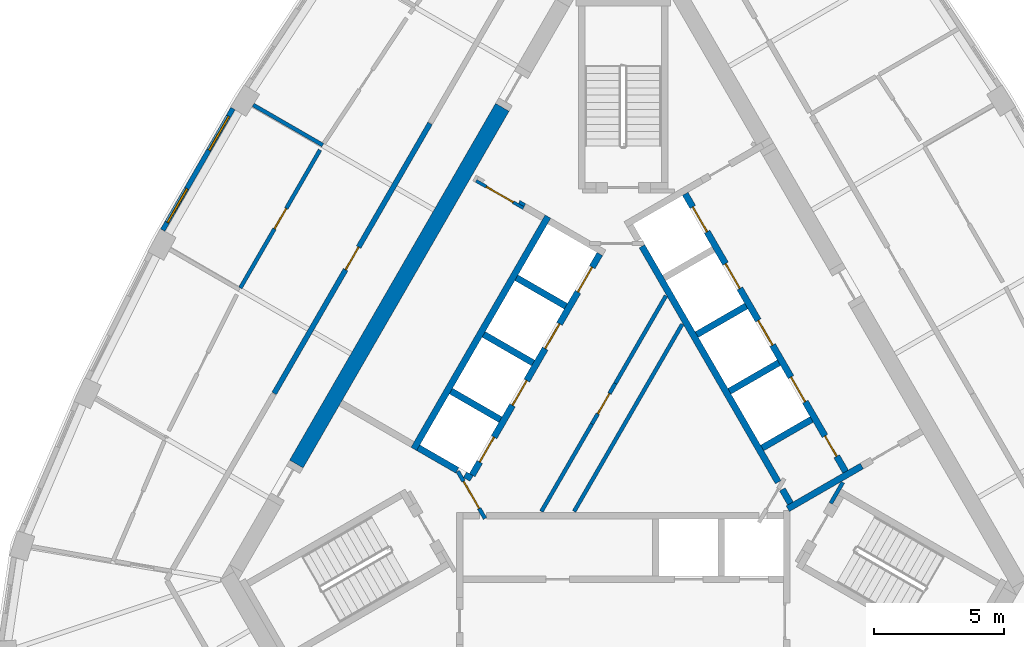
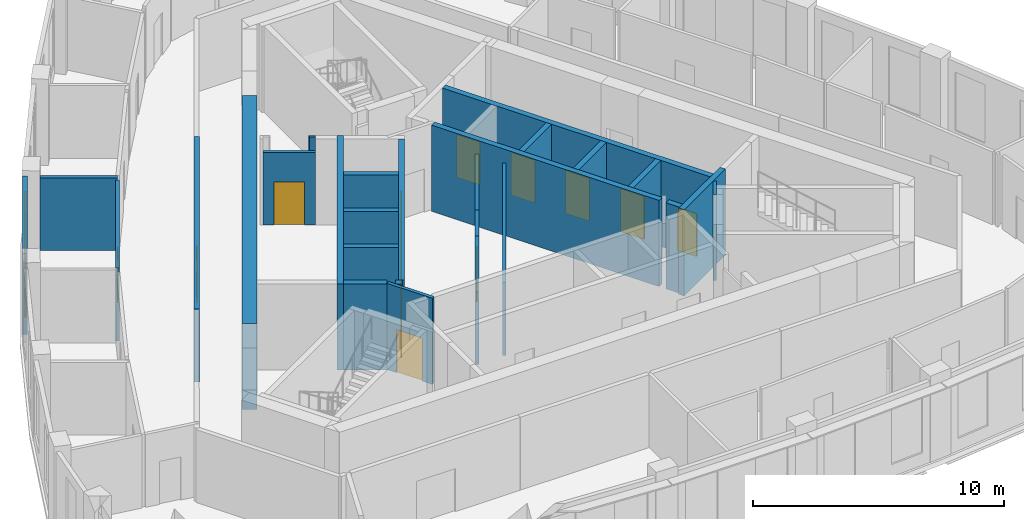
# One storey, part 5 of 10: 27 walls, 14 doors, 2 windows, 16 openings.
"""IFC4 building model written with IfcOpenShell, lengths in metres."""

from ifc_helpers import new_model, si_unit, direction, frame, frame_2d, origin, place, context, subcontext, project, spatial, polyline, rectangle, outline, extrude, material, layer, layer_set, type_object, element, fill, save


model = new_model("IFC4")

# Units and contexts
model_context = context("Model", 3, precision=1e-05, world=origin(), true_north=direction((0.0, 1.0)))
body_context = subcontext(model_context, "Body", "Model", "MODEL_VIEW")
ifc_project = project(units=[si_unit("LENGTHUNIT", "METRE"), si_unit("AREAUNIT", "SQUARE_METRE"), si_unit("VOLUMEUNIT", "CUBIC_METRE"), si_unit("PLANEANGLEUNIT", "RADIAN"), si_unit("MASSUNIT", "GRAM", prefix="KILO")], contexts=[model_context])

# Site, building, storey
site_placement = place(None, origin())
site = spatial("IfcSite", under=ifc_project, at=site_placement, CompositionType="ELEMENT")
building_placement = place(site_placement, origin())
building = spatial("IfcBuilding", under=site, at=building_placement, Name="Mestral Congress Tower", CompositionType="ELEMENT")
storey_placement = place(building_placement, frame((0.0, 0.0, 296.39990234375)))
storey = spatial("IfcBuildingStorey", under=building, at=storey_placement, Name="L69", CompositionType="ELEMENT", Elevation=296.39990234375)

# Walls
ifc_material_1 = material(Name="Fire-rated board partition")
ifc_layer_1 = layer(ifc_material_1, 0.14990234375)
ifc_layer_set_1 = layer_set([ifc_layer_1], Name="Fire-rated board partition")
wall_type_1 = type_object("IfcWallType", Name="Core partition 150", PredefinedType="PARTITIONING", material=ifc_layer_set_1)
wall_1_placement = place(storey_placement, frame((-1.886962890625, -3.71826171875, 0.0), z_axis=(0.0, 0.0, 1.0), x_axis=(0.500005008002, 0.866022512394, 0.0)))
element("IfcWall", 1, at=wall_1_placement, inside=storey, type_object=wall_type_1, Name="L69 core wall", PredefinedType="PARTITIONING", context=body_context, shape_type="SweptSolid", body=[
    extrude(rectangle(XDim=8.3271484375, YDim=0.14990234375, at=frame_2d((4.16357421875, 0.0))), origin(), (0.0, 0.0, 1.0), 3.550048828125),
])
wall_2_placement = place(storey_placement, frame((-3.146728515625, -3.71826171875, 0.0), z_axis=(0.0, 0.0, 1.0), x_axis=(0.500010131483, 0.866019554291, 0.0)))
element("IfcWall", 2, at=wall_2_placement, inside=storey, type_object=wall_type_1, Name="L69 core wall", PredefinedType="PARTITIONING", context=body_context, shape_type="SweptSolid", body=[
    extrude(rectangle(XDim=3.8935546875, YDim=0.14990234375, at=frame_2d((1.94677734375, 0.0))), origin(), (0.0, 0.0, 1.0), 3.550048828125),
])
wall_3_placement = place(storey_placement, frame((-0.2998046875, 1.21240234375, 0.0), z_axis=(0.0, 0.0, 1.0), x_axis=(0.499963101113, 0.866046706318, 0.0)))
element("IfcWall", 3, at=wall_3_placement, inside=storey, type_object=wall_type_1, Name="L69 core wall", PredefinedType="PARTITIONING", context=body_context, shape_type="SweptSolid", body=[
    extrude(rectangle(XDim=3.893310546875, YDim=0.14990234375, at=frame_2d((1.94677734375, 0.0))), origin(), (0.0, 0.0, 1.0), 3.550048828125),
])

# Wall, opening, door
wall_4_placement = place(storey_placement, frame((-1.199951171875, -0.346435546875, 0.0), z_axis=(0.0, 0.0, 1.0), x_axis=(0.499961193289, 0.866047807691, 0.0)))
wall_4 = element("IfcWall", 4, at=wall_4_placement, inside=storey, type_object=wall_type_1, Name="L69 door wall", PredefinedType="PARTITIONING", context=body_context, shape_type="SweptSolid", body=[
    extrude(rectangle(XDim=1.800048828125, YDim=0.14990234375, at=frame_2d((0.89990234375, 0.0))), origin(), (0.0, 0.0, 1.0), 3.550048828125),
])
opening_1_placement = place(wall_4_placement, frame((0.449951171875, 0.0, 0.0)))
opening_1 = element("IfcOpeningElement", 5, at=opening_1_placement, cuts=wall_4, Name="Opening SD-HUB1", PredefinedType="OPENING", context=body_context, shape_type="SweptSolid", body=[
    extrude(rectangle(XDim=0.89990234375, YDim=2.10009765625, at=frame_2d((0.449951171875, 1.050048828125))), frame((0.0, 0.0849609375, 0.0), z_axis=(0.0, -1.0, 0.0), x_axis=(1.0, 0.0, 0.0)), (0.0, 0.0, 1.0), 0.169921875),
])
ifc_material_2 = material(Name="Fire-rated steel door set", Category="steel")
door_type_1 = type_object("IfcDoorType", Name="Core door SR 900x2100", OperationType="SINGLE_SWING_LEFT", PredefinedType="DOOR", material=ifc_material_2)
door_1_placement = place(opening_1_placement, origin())
door_1 = element("IfcDoor", 6, at=door_1_placement, inside=storey, type_object=door_type_1, Name="Door SD-HUB1", OperationType="SINGLE_SWING_LEFT", OverallHeight=2.10009765625, OverallWidth=0.89990234375, PredefinedType="DOOR", context=body_context, shape_type="SweptSolid", body=[
    extrude(rectangle(XDim=0.89990234375, YDim=2.10009765625, at=frame_2d((0.449951171875, 1.050048828125))), frame((0.0, 0.02490234375, 0.0), z_axis=(0.0, -1.0, 0.0), x_axis=(1.0, 0.0, 0.0)), (0.0, 0.0, 1.0), 0.050048828125),
])
fill(opening_1, door_1)

ifc_layer_2 = layer(ifc_material_1, 0.1201171875)
ifc_layer_set_2 = layer_set([ifc_layer_2], Name="Fire-rated board partition")
wall_type_2 = type_object("IfcWallType", Name="Core partition 150 door-wall 120", PredefinedType="PARTITIONING", material=ifc_layer_set_2)
wall_5_placement = place(storey_placement, frame((-5.65869140625, 9.01171875, 0.0), z_axis=(0.0, 0.0, 1.0), x_axis=(0.866009402589, -0.500027713859, 0.0)))
wall_5 = element("IfcWall", 7, at=wall_5_placement, inside=storey, type_object=wall_type_2, Name="L69 door wall", PredefinedType="PARTITIONING", context=body_context, shape_type="SweptSolid", body=[
    extrude(rectangle(XDim=2.10009765625, YDim=0.1201171875, at=frame_2d((1.050048828125, 0.0))), origin(), (0.0, 0.0, 1.0), 3.550048828125),
])
opening_2_placement = place(wall_5_placement, frame((0.449951171875, 0.0, 0.0)))
opening_2 = element("IfcOpeningElement", 8, at=opening_2_placement, cuts=wall_5, Name="Opening LB2-WL2", PredefinedType="OPENING", context=body_context, shape_type="SweptSolid", body=[
    extrude(rectangle(XDim=1.199951171875, YDim=2.10009765625, at=frame_2d((0.60009765625, 1.050048828125))), frame((0.0, 0.070068359375, 0.0), z_axis=(0.0, -1.0, 0.0), x_axis=(1.0, 0.0, 0.0)), (0.0, 0.0, 1.0), 0.14013671875),
])
door_type_2 = type_object("IfcDoorType", Name="Core door LB 1200x2100", OperationType="SINGLE_SWING_LEFT", PredefinedType="DOOR", material=ifc_material_2)
door_2_placement = place(opening_2_placement, origin())
door_2 = element("IfcDoor", 9, at=door_2_placement, inside=storey, type_object=door_type_2, Name="Door LB2-WL2", OperationType="SINGLE_SWING_LEFT", OverallHeight=2.10009765625, OverallWidth=1.199951171875, PredefinedType="DOOR", context=body_context, shape_type="SweptSolid", body=[
    extrude(rectangle(XDim=1.199951171875, YDim=2.10009765625, at=frame_2d((0.60009765625, 1.050048828125))), frame((0.0, 0.02490234375, 0.0), z_axis=(0.0, -1.0, 0.0), x_axis=(1.0, 0.0, 0.0)), (0.0, 0.0, 1.0), 0.050048828125),
])
fill(opening_2, door_2)

# Wall
ifc_material_3 = material(Name="Concrete C60/75", Category="concrete")
ifc_layer_3 = layer(ifc_material_3, 0.60009765625)
ifc_layer_set_3 = layer_set([ifc_layer_3], Name="Concrete C60/75")
wall_type_3 = type_object("IfcWallType", Name="Core wall RC 600", PredefinedType="SOLIDWALL", material=ifc_layer_set_3)
wall_6_placement = place(storey_placement, frame((-12.58154296875, -1.891845703125, 0.0), z_axis=(0.0, 0.0, 1.0), x_axis=(0.500003640647, 0.866023301845, 0.0)))
element("IfcWall", 10, at=wall_6_placement, inside=storey, type_object=wall_type_3, Name="L69 core wall", PredefinedType="SOLIDWALL", context=body_context, shape_type="SweptSolid", body=[
    extrude(rectangle(XDim=15.8583984375, YDim=0.60009765625, at=frame_2d((7.92919921875, 0.0))), origin(), (0.0, 0.0, 1.0), 4.2001953125),
])

# Wall, openings, windows
ifc_material_4 = material(Name="Precast concrete C40/50 with limestone facing", Category="masonry")
ifc_layer_4 = layer(ifc_material_4, 0.18994140625)
ifc_layer_set_4 = layer_set([ifc_layer_4], Name="Precast concrete C40/50 with limestone facing")
wall_type_4 = type_object("IfcWallType", Name="Facade stone wall 190", PredefinedType="SOLIDWALL", material=ifc_layer_set_4)
wall_7_placement = place(storey_placement, frame((-15.025146484375, 11.7958984375, 0.0), z_axis=(0.0, 0.0, 1.0), x_axis=(-0.500024767483, -0.866011103799, 0.0)))
wall_7 = element("IfcWall", 11, at=wall_7_placement, inside=storey, type_object=wall_type_4, Name="Facade wall F2-02", PredefinedType="SOLIDWALL", context=body_context, shape_type="SweptSolid", body=[
    extrude(rectangle(XDim=5.406005859375, YDim=0.18994140625, at=frame_2d((2.703125, 0.0))), origin(), (0.0, 0.0, 1.0), 3.9501953125),
])
opening_3_placement = place(wall_7_placement, frame((0.346435546875, 0.0, 0.60009765625)))
opening_3 = element("IfcOpeningElement", 12, at=opening_3_placement, cuts=wall_7, Name="Opening W6", PredefinedType="OPENING", context=body_context, shape_type="SweptSolid", body=[
    extrude(rectangle(XDim=1.5, YDim=2.85009765625, at=frame_2d((0.75, 1.425048828125))), frame((0.0, 0.10498046875, 0.0), z_axis=(0.0, -1.0, 0.0), x_axis=(1.0, 0.0, 0.0)), (0.0, 0.0, 1.0), 0.2099609375),
])
opening_4_placement = place(wall_7_placement, frame((3.559326171875, 0.0, 0.60009765625)))
opening_4 = element("IfcOpeningElement", 13, at=opening_4_placement, cuts=wall_7, Name="Opening W6", PredefinedType="OPENING", context=body_context, shape_type="SweptSolid", body=[
    extrude(rectangle(XDim=1.5, YDim=2.85009765625, at=frame_2d((0.75, 1.425048828125))), frame((0.0, 0.10498046875, 0.0), z_axis=(0.0, -1.0, 0.0), x_axis=(1.0, 0.0, 0.0)), (0.0, 0.0, 1.0), 0.2099609375),
])
ifc_material_5 = material(Name="Clear low-emissivity double glazing", Category="glass")
window_type = type_object("IfcWindowType", Name="Facade punched window 1500 x 2850 sill 600", PartitioningType="SINGLE_PANEL", PredefinedType="WINDOW", material=ifc_material_5)
window_1_placement = place(opening_3_placement, origin())
window_1 = element("IfcWindow", 14, at=window_1_placement, inside=storey, type_object=window_type, Name="Window F2-02a", OverallHeight=2.85009765625, OverallWidth=1.5, PartitioningType="SINGLE_PANEL", PredefinedType="WINDOW", context=body_context, shape_type="SweptSolid", body=[
    extrude(rectangle(XDim=1.5, YDim=2.85009765625, at=frame_2d((0.75, 1.425048828125))), frame((0.0, 0.044921875, 0.0), z_axis=(0.0, -1.0, 0.0), x_axis=(1.0, 0.0, 0.0)), (0.0, 0.0, 1.0), 0.06005859375),
])
fill(opening_3, window_1)
window_2_placement = place(opening_4_placement, origin())
window_2 = element("IfcWindow", 15, at=window_2_placement, inside=storey, type_object=window_type, Name="Window F2-02b", OverallHeight=2.85009765625, OverallWidth=1.5, PartitioningType="SINGLE_PANEL", PredefinedType="WINDOW", context=body_context, shape_type="SweptSolid", body=[
    extrude(rectangle(XDim=1.5, YDim=2.85009765625, at=frame_2d((0.75, 1.425048828125))), frame((0.0, 0.044921875, 0.0), z_axis=(0.0, -1.0, 0.0), x_axis=(1.0, 0.0, 0.0)), (0.0, 0.0, 1.0), 0.06005859375),
])
fill(opening_4, window_2)

# Wall
ifc_material_6 = material(Name="Plasterboard partition on steel studs", Category="steel")
ifc_layer_5 = layer(ifc_material_6, 0.14990234375)
ifc_layer_set_5 = layer_set([ifc_layer_5], Name="Plasterboard partition on steel studs")
wall_type_5 = type_object("IfcWallType", Name="Office partition 150", PredefinedType="PARTITIONING", material=ifc_layer_set_5)
wall_8_placement = place(storey_placement, frame((-11.564208984375, 10.38671875, 0.0), z_axis=(0.0, 0.0, 1.0), x_axis=(-0.86604641216, 0.499963610661, 0.0)))
element("IfcWall", 16, at=wall_8_placement, inside=storey, type_object=wall_type_5, Name="Partition", PredefinedType="PARTITIONING", context=body_context, shape_type="SweptSolid", body=[
    extrude(rectangle(XDim=3.096435546875, YDim=0.14990234375, at=frame_2d((1.54833984375, 0.0))), origin(), (0.0, 0.0, 1.0), 3.550048828125),
])

# Wall, opening, door
wall_9_placement = place(storey_placement, frame((-14.73974609375, 4.88671875, 0.0), z_axis=(0.0, 0.0, 1.0), x_axis=(0.500007141444, 0.86602128063, 0.0)))
wall_9 = element("IfcWall", 17, at=wall_9_placement, inside=storey, type_object=wall_type_5, Name="Partition", PredefinedType="PARTITIONING", context=body_context, shape_type="SweptSolid", body=[
    extrude(rectangle(XDim=6.13671875, YDim=0.14990234375, at=frame_2d((3.068359375, 0.0))), origin(), (0.0, 0.0, 1.0), 3.550048828125),
])
opening_5_placement = place(wall_9_placement, frame((2.63671875, 0.0, 0.0)))
opening_5 = element("IfcOpeningElement", 18, at=opening_5_placement, cuts=wall_9, Name="Opening O13-014", PredefinedType="OPENING", context=body_context, shape_type="SweptSolid", body=[
    extrude(rectangle(XDim=0.89990234375, YDim=2.10009765625, at=frame_2d((0.449951171875, 1.050048828125))), frame((0.0, 0.0849609375, 0.0), z_axis=(0.0, -1.0, 0.0), x_axis=(1.0, 0.0, 0.0)), (0.0, 0.0, 1.0), 0.169921875),
])
ifc_material_7 = material(Name="Timber door set", Category="wood")
door_type_3 = type_object("IfcDoorType", Name="Office door 900x2100", OperationType="SINGLE_SWING_LEFT", PredefinedType="DOOR", material=ifc_material_7)
door_3_placement = place(opening_5_placement, origin())
door_3 = element("IfcDoor", 19, at=door_3_placement, inside=storey, type_object=door_type_3, Name="Door O13-014", OperationType="SINGLE_SWING_RIGHT", OverallHeight=2.10009765625, OverallWidth=0.89990234375, PredefinedType="DOOR", context=body_context, shape_type="SweptSolid", body=[
    extrude(rectangle(XDim=0.89990234375, YDim=2.10009765625, at=frame_2d((0.449951171875, 1.050048828125))), frame((0.0, 0.02490234375, 0.0), z_axis=(0.0, -1.0, 0.0), x_axis=(1.0, 0.0, 0.0)), (0.0, 0.0, 1.0), 0.050048828125),
])
fill(opening_5, door_3)

ifc_material_8 = material(Name="Dense masonry wall, plastered", Category="masonry")
ifc_layer_6 = layer(ifc_material_8, 0.199951171875)
ifc_layer_set_6 = layer_set([ifc_layer_6], Name="Dense masonry wall, plastered")
wall_type_6 = type_object("IfcWallType", Name="Office tenancy wall 200", PredefinedType="PARTITIONING", material=ifc_layer_set_6)
wall_10_placement = place(storey_placement, frame((-7.435546875, 11.22119140625, 0.0), z_axis=(0.0, 0.0, 1.0), x_axis=(-0.49999894854, -0.866026010844, 0.0)))
wall_10 = element("IfcWall", 20, at=wall_10_placement, inside=storey, type_object=wall_type_6, Name="Tenancy wall", PredefinedType="PARTITIONING", context=body_context, shape_type="SweptSolid", body=[
    extrude(rectangle(XDim=12.0, YDim=0.199951171875, at=frame_2d((6.0, 0.0))), origin(), (0.0, 0.0, 1.0), 3.550048828125),
])
opening_6_placement = place(wall_10_placement, frame((5.5, 0.0, 0.0)))
opening_6 = element("IfcOpeningElement", 21, at=opening_6_placement, cuts=wall_10, Name="Opening O13-017", PredefinedType="OPENING", context=body_context, shape_type="SweptSolid", body=[
    extrude(rectangle(XDim=1.0, YDim=2.10009765625, at=frame_2d((0.5, 1.050048828125))), frame((0.0, 0.10986328125, 0.0), z_axis=(0.0, -1.0, 0.0), x_axis=(1.0, 0.0, 0.0)), (0.0, 0.0, 1.0), 0.219970703125),
])
ifc_material_9 = material(Name="Fire-rated timber door set", Category="wood")
door_type_4 = type_object("IfcDoorType", Name="Office tenancy entrance door 1000x2100", OperationType="SINGLE_SWING_LEFT", PredefinedType="DOOR", material=ifc_material_9)
door_4_placement = place(opening_6_placement, origin())
door_4 = element("IfcDoor", 22, at=door_4_placement, inside=storey, type_object=door_type_4, Name="Door O13-017", OperationType="SINGLE_SWING_RIGHT", OverallHeight=2.10009765625, OverallWidth=1.0, PredefinedType="DOOR", context=body_context, shape_type="SweptSolid", body=[
    extrude(rectangle(XDim=1.0, YDim=2.10009765625, at=frame_2d((0.5, 1.050048828125))), frame((0.0, 0.02490234375, 0.0), z_axis=(0.0, -1.0, 0.0), x_axis=(1.0, 0.0, 0.0)), (0.0, 0.0, 1.0), 0.050048828125),
])
fill(opening_6, door_4)

# Walls
ifc_layer_7 = layer(ifc_material_3, 0.25)
ifc_layer_set_7 = layer_set([ifc_layer_7], Name="Concrete C60/75")
wall_type_7 = type_object("IfcWallType", Name="Shaft wall RC 250", PredefinedType="SOLIDWALL", material=ifc_layer_set_7)
wall_11_placement = place(storey_placement, frame((9.190185546875, -1.96875, 0.0), z_axis=(0.0, 0.0, 1.0), x_axis=(-0.866057109641, -0.499945079824, 0.0)))
element("IfcWall", 23, at=wall_11_placement, inside=storey, type_object=wall_type_7, Name="L69 core wall", PredefinedType="SOLIDWALL", context=body_context, shape_type="SweptSolid", body=[
    extrude(rectangle(XDim=3.290771484375, YDim=0.25, at=frame_2d((1.6455078125, 0.0))), origin(), (0.0, 0.0, 1.0), 4.2001953125),
])
wall_12_placement = place(storey_placement, frame((6.1298828125, -2.867431640625, 0.0), z_axis=(0.0, 0.0, 1.0), x_axis=(0.500160776593, -0.865932559475, 0.0)))
element("IfcWall", 24, at=wall_12_placement, inside=storey, type_object=wall_type_7, Name="L69 core wall", PredefinedType="SOLIDWALL", context=body_context, shape_type="SweptSolid", body=[
    extrude(rectangle(XDim=0.626708984375, YDim=0.25, at=frame_2d((0.3134765625, 0.0))), origin(), (0.0, 0.0, 1.0), 4.2001953125),
])
wall_13_placement = place(storey_placement, frame((5.970458984375, -2.591064453125, 0.0), z_axis=(0.0, 0.0, 1.0), x_axis=(-0.499994469932, 0.866028596547, 0.0)))
element("IfcWall", 25, at=wall_13_placement, inside=storey, type_object=wall_type_7, Name="L69 core wall", PredefinedType="SOLIDWALL", context=body_context, shape_type="SweptSolid", body=[
    extrude(rectangle(XDim=10.48828125, YDim=0.25, at=frame_2d((5.244140625, 0.0))), origin(), (0.0, 0.0, 1.0), 4.2001953125),
])
for number, where, z_axis, x_axis, name in (
    (26, (2.833984375, 3.091064453125, 0.0), (0.0, 0.0, 1.0), (0.866008176907, 0.50002983664, 0.0), "L69 core wall"),
    (27, (4.093994140625, 0.90869140625, 0.0), (0.0, 0.0, 1.0), (0.866008176907, 0.50002983664, 0.0), "L69 core wall"),
    (28, (5.35400390625, -1.273681640625, 0.0), (0.0, 0.0, 1.0), (0.866008176907, 0.50002983664, 0.0), "L69 core wall"),
):
    element("IfcWall", number, at=place(storey_placement, frame(where, z_axis=z_axis, x_axis=x_axis)), inside=storey, type_object=wall_type_7, Name=name, PredefinedType="SOLIDWALL", context=body_context, shape_type="SweptSolid", body=[
        extrude(rectangle(XDim=2.199951171875, YDim=0.25, at=frame_2d((1.10009765625, 0.0))), origin(), (0.0, 0.0, 1.0), 4.2001953125),
    ])
wall_14_placement = place(storey_placement, frame((-8.06005859375, -1.310546875, 0.0), z_axis=(0.0, 0.0, 1.0), x_axis=(0.50000273126, 0.866023826885, 0.0)))
element("IfcWall", 29, at=wall_14_placement, inside=storey, type_object=wall_type_7, Name="L69 core wall", PredefinedType="SOLIDWALL", context=body_context, shape_type="SweptSolid", body=[
    extrude(rectangle(XDim=10.330078125, YDim=0.25, at=frame_2d((5.1650390625, 0.0))), origin(), (0.0, 0.0, 1.0), 4.2001953125),
])
for number, where, z_axis, x_axis, name in (
    (30, (-2.2041015625, 4.182373046875, 0.0), (0.0, 0.0, 1.0), (-0.866008176907, 0.50002983664, 0.0), "L69 core wall"),
    (31, (-5.369384765625, 3.10009765625, 0.0), (0.0, 0.0, 1.0), (0.866008176907, -0.50002983664, 0.0), "L69 core wall"),
    (32, (-4.72412109375, -0.182373046875, 0.0), (0.0, 0.0, 1.0), (-0.866008176907, 0.50002983664, 0.0), "L69 core wall"),
):
    element("IfcWall", number, at=place(storey_placement, frame(where, z_axis=z_axis, x_axis=x_axis)), inside=storey, type_object=wall_type_7, Name=name, PredefinedType="SOLIDWALL", context=body_context, shape_type="SweptSolid", body=[
        extrude(rectangle(XDim=2.199951171875, YDim=0.25, at=frame_2d((1.10009765625, 0.0))), origin(), (0.0, 0.0, 1.0), 4.2001953125),
    ])
wall_15_placement = place(storey_placement, frame((-6.088134765625, -2.3046875, 0.0), z_axis=(0.0, 0.0, 1.0), x_axis=(0.866059450854, -0.499941024108, 0.0)))
element("IfcWall", 33, at=wall_15_placement, inside=storey, type_object=wall_type_7, Name="L69 core wall", PredefinedType="SOLIDWALL", context=body_context, shape_type="SweptSolid", body=[
    extrude(rectangle(XDim=0.2900390625, YDim=0.25, at=frame_2d((0.14501953125, 0.0))), origin(), (0.0, 0.0, 1.0), 4.2001953125),
])
wall_16_placement = place(storey_placement, frame((-7.889404296875, -1.2646484375, 0.0), z_axis=(0.0, 0.0, 1.0), x_axis=(0.865986741702, -0.500066958712, 0.0)))
element("IfcWall", 34, at=wall_16_placement, inside=storey, type_object=wall_type_7, Name="L69 core wall", PredefinedType="SOLIDWALL", context=body_context, shape_type="SweptSolid", body=[
    extrude(rectangle(XDim=1.738037109375, YDim=0.25, at=frame_2d((0.869140625, 0.0))), origin(), (0.0, 0.0, 1.0), 4.2001953125),
])
wall_17_placement = place(storey_placement, origin())
element("IfcWall", 35, at=wall_17_placement, inside=storey, type_object=wall_type_7, Name="L69 core wall", PredefinedType="SOLIDWALL", context=body_context, shape_type="SweptSolid", body=[
    extrude(outline(polyline([(-3.748291015625, 8.1279296875), (-3.813232421875, 8.015380859375), (-4.026611328125, 8.138671875), (-4.0166015625, 8.156005859375), (-4.007568359375, 8.17333984375), (-4.000244140625, 8.191650390625), (-3.994873046875, 8.21044921875), (-3.991455078125, 8.229736328125), (-3.98974609375, 8.24951171875), (-3.989990234375, 8.267578125), (-3.748291015625, 8.1279296875)])), origin(), (0.0, 0.0, 1.0), 4.2001953125),
])

# Wall, openings, doors
wall_18_placement = place(storey_placement, frame((8.565185546875, -2.185302734375, 0.0), z_axis=(0.0, 0.0, 1.0), x_axis=(-0.499997954832, 0.866026584559, 0.0)))
wall_18 = element("IfcWall", 36, at=wall_18_placement, inside=storey, type_object=wall_type_7, Name="L69 door wall", PredefinedType="SOLIDWALL", context=body_context, shape_type="SweptSolid", body=[
    extrude(rectangle(XDim=12.35009765625, YDim=0.25, at=frame_2d((6.175048828125, 0.0))), origin(), (0.0, 0.0, 1.0), 4.2001953125),
])
opening_7_placement = place(wall_18_placement, frame((0.68505859375, 0.0, 0.0)))
opening_7 = element("IfcOpeningElement", 37, at=opening_7_placement, cuts=wall_18, Name="Opening SR-NEB1", PredefinedType="OPENING", context=body_context, shape_type="SweptSolid", body=[
    extrude(rectangle(XDim=0.89990234375, YDim=2.10009765625, at=frame_2d((0.449951171875, 1.050048828125))), frame((0.0, 0.135009765625, 0.0), z_axis=(0.0, -1.0, 0.0), x_axis=(1.0, 0.0, 0.0)), (0.0, 0.0, 1.0), 0.27001953125),
])
opening_8_placement = place(wall_18_placement, frame((3.10498046875, 0.0, 0.0)))
opening_8 = element("IfcOpeningElement", 38, at=opening_8_placement, cuts=wall_18, Name="Opening LD-NEB2", PredefinedType="OPENING", context=body_context, shape_type="SweptSolid", body=[
    extrude(rectangle(XDim=1.10009765625, YDim=2.10009765625, at=frame_2d((0.550048828125, 1.050048828125))), frame((0.0, 0.135009765625, 0.0), z_axis=(0.0, -1.0, 0.0), x_axis=(1.0, 0.0, 0.0)), (0.0, 0.0, 1.0), 0.27001953125),
])
opening_9_placement = place(wall_18_placement, frame((5.625, 0.0, 0.0)))
opening_9 = element("IfcOpeningElement", 39, at=opening_9_placement, cuts=wall_18, Name="Opening LD-NEB3", PredefinedType="OPENING", context=body_context, shape_type="SweptSolid", body=[
    extrude(rectangle(XDim=1.10009765625, YDim=2.10009765625, at=frame_2d((0.550048828125, 1.050048828125))), frame((0.0, 0.135009765625, 0.0), z_axis=(0.0, -1.0, 0.0), x_axis=(1.0, 0.0, 0.0)), (0.0, 0.0, 1.0), 0.27001953125),
])
opening_10_placement = place(wall_18_placement, frame((8.14501953125, 0.0, 0.0)))
opening_10 = element("IfcOpeningElement", 40, at=opening_10_placement, cuts=wall_18, Name="Opening LD-NEB4", PredefinedType="OPENING", context=body_context, shape_type="SweptSolid", body=[
    extrude(rectangle(XDim=1.10009765625, YDim=2.10009765625, at=frame_2d((0.550048828125, 1.050048828125))), frame((0.0, 0.135009765625, 0.0), z_axis=(0.0, -1.0, 0.0), x_axis=(1.0, 0.0, 0.0)), (0.0, 0.0, 1.0), 0.27001953125),
])
opening_11_placement = place(wall_18_placement, frame((10.6650390625, 0.0, 0.0)))
opening_11 = element("IfcOpeningElement", 41, at=opening_11_placement, cuts=wall_18, Name="Opening LD-NEB5", PredefinedType="OPENING", context=body_context, shape_type="SweptSolid", body=[
    extrude(rectangle(XDim=1.10009765625, YDim=2.10009765625, at=frame_2d((0.550048828125, 1.050048828125))), frame((0.0, 0.135009765625, 0.0), z_axis=(0.0, -1.0, 0.0), x_axis=(1.0, 0.0, 0.0)), (0.0, 0.0, 1.0), 0.27001953125),
])
door_type_5 = type_object("IfcDoorType", Name="Core door LD 1100x2100", OperationType="DOUBLE_DOOR_SLIDING", PredefinedType="DOOR", material=ifc_material_2)
door_5_placement = place(opening_8_placement, origin())
door_5 = element("IfcDoor", 42, at=door_5_placement, inside=storey, type_object=door_type_5, Name="Door LD-NEB2", OperationType="DOUBLE_DOOR_SLIDING", OverallHeight=2.10009765625, OverallWidth=1.10009765625, PredefinedType="DOOR", context=body_context, shape_type="SweptSolid", body=[
    extrude(rectangle(XDim=1.10009765625, YDim=2.10009765625, at=frame_2d((0.550048828125, 1.050048828125))), frame((0.0, 0.02490234375, 0.0), z_axis=(0.0, -1.0, 0.0), x_axis=(1.0, 0.0, 0.0)), (0.0, 0.0, 1.0), 0.050048828125),
])
fill(opening_8, door_5)
door_6_placement = place(opening_9_placement, origin())
door_6 = element("IfcDoor", 43, at=door_6_placement, inside=storey, type_object=door_type_5, Name="Door LD-NEB3", OperationType="DOUBLE_DOOR_SLIDING", OverallHeight=2.10009765625, OverallWidth=1.10009765625, PredefinedType="DOOR", context=body_context, shape_type="SweptSolid", body=[
    extrude(rectangle(XDim=1.10009765625, YDim=2.10009765625, at=frame_2d((0.550048828125, 1.050048828125))), frame((0.0, 0.02490234375, 0.0), z_axis=(0.0, -1.0, 0.0), x_axis=(1.0, 0.0, 0.0)), (0.0, 0.0, 1.0), 0.050048828125),
])
fill(opening_9, door_6)
door_7_placement = place(opening_10_placement, origin())
door_7 = element("IfcDoor", 44, at=door_7_placement, inside=storey, type_object=door_type_5, Name="Door LD-NEB4", OperationType="DOUBLE_DOOR_SLIDING", OverallHeight=2.10009765625, OverallWidth=1.10009765625, PredefinedType="DOOR", context=body_context, shape_type="SweptSolid", body=[
    extrude(rectangle(XDim=1.10009765625, YDim=2.10009765625, at=frame_2d((0.550048828125, 1.050048828125))), frame((0.0, 0.02490234375, 0.0), z_axis=(0.0, -1.0, 0.0), x_axis=(1.0, 0.0, 0.0)), (0.0, 0.0, 1.0), 0.050048828125),
])
fill(opening_10, door_7)
door_8_placement = place(opening_11_placement, origin())
door_8 = element("IfcDoor", 45, at=door_8_placement, inside=storey, type_object=door_type_5, Name="Door LD-NEB5", OperationType="DOUBLE_DOOR_SLIDING", OverallHeight=2.10009765625, OverallWidth=1.10009765625, PredefinedType="DOOR", context=body_context, shape_type="SweptSolid", body=[
    extrude(rectangle(XDim=1.10009765625, YDim=2.10009765625, at=frame_2d((0.550048828125, 1.050048828125))), frame((0.0, 0.02490234375, 0.0), z_axis=(0.0, -1.0, 0.0), x_axis=(1.0, 0.0, 0.0)), (0.0, 0.0, 1.0), 0.050048828125),
])
fill(opening_11, door_8)
door_9_placement = place(opening_7_placement, origin())
door_9 = element("IfcDoor", 46, at=door_9_placement, inside=storey, type_object=door_type_1, Name="Door SR-NEB1", OperationType="SINGLE_SWING_LEFT", OverallHeight=2.10009765625, OverallWidth=0.89990234375, PredefinedType="DOOR", context=body_context, shape_type="SweptSolid", body=[
    extrude(rectangle(XDim=0.89990234375, YDim=2.10009765625, at=frame_2d((0.449951171875, 1.050048828125))), frame((0.0, 0.02490234375, 0.0), z_axis=(0.0, -1.0, 0.0), x_axis=(1.0, 0.0, 0.0)), (0.0, 0.0, 1.0), 0.050048828125),
])
fill(opening_7, door_9)

wall_19_placement = place(storey_placement, frame((-0.898193359375, 6.194091796875, 0.0), z_axis=(0.0, 0.0, 1.0), x_axis=(-0.499996202215, -0.866027596426, 0.0)))
wall_19 = element("IfcWall", 47, at=wall_19_placement, inside=storey, type_object=wall_type_7, Name="L69 door wall", PredefinedType="SOLIDWALL", context=body_context, shape_type="SweptSolid", body=[
    extrude(rectangle(XDim=9.830078125, YDim=0.25, at=frame_2d((4.9150390625, 0.0))), origin(), (0.0, 0.0, 1.0), 4.2001953125),
])
opening_12_placement = place(wall_19_placement, frame((0.5849609375, 0.0, 0.0)))
opening_12 = element("IfcOpeningElement", 48, at=opening_12_placement, cuts=wall_19, Name="Opening LD-NWB1", PredefinedType="OPENING", context=body_context, shape_type="SweptSolid", body=[
    extrude(rectangle(XDim=1.10009765625, YDim=2.10009765625, at=frame_2d((0.550048828125, 1.050048828125))), frame((0.0, 0.135009765625, 0.0), z_axis=(0.0, -1.0, 0.0), x_axis=(1.0, 0.0, 0.0)), (0.0, 0.0, 1.0), 0.27001953125),
])
opening_13_placement = place(wall_19_placement, frame((3.10498046875, 0.0, 0.0)))
opening_13 = element("IfcOpeningElement", 49, at=opening_13_placement, cuts=wall_19, Name="Opening LD-NWB2", PredefinedType="OPENING", context=body_context, shape_type="SweptSolid", body=[
    extrude(rectangle(XDim=1.10009765625, YDim=2.10009765625, at=frame_2d((0.550048828125, 1.050048828125))), frame((0.0, 0.135009765625, 0.0), z_axis=(0.0, -1.0, 0.0), x_axis=(1.0, 0.0, 0.0)), (0.0, 0.0, 1.0), 0.27001953125),
])
opening_14_placement = place(wall_19_placement, frame((5.625, 0.0, 0.0)))
opening_14 = element("IfcOpeningElement", 50, at=opening_14_placement, cuts=wall_19, Name="Opening LD-NWB3", PredefinedType="OPENING", context=body_context, shape_type="SweptSolid", body=[
    extrude(rectangle(XDim=1.10009765625, YDim=2.10009765625, at=frame_2d((0.550048828125, 1.050048828125))), frame((0.0, 0.135009765625, 0.0), z_axis=(0.0, -1.0, 0.0), x_axis=(1.0, 0.0, 0.0)), (0.0, 0.0, 1.0), 0.27001953125),
])
opening_15_placement = place(wall_19_placement, frame((8.14501953125, 0.0, 0.0)))
opening_15 = element("IfcOpeningElement", 51, at=opening_15_placement, cuts=wall_19, Name="Opening LD-NWB4", PredefinedType="OPENING", context=body_context, shape_type="SweptSolid", body=[
    extrude(rectangle(XDim=1.10009765625, YDim=2.10009765625, at=frame_2d((0.550048828125, 1.050048828125))), frame((0.0, 0.135009765625, 0.0), z_axis=(0.0, -1.0, 0.0), x_axis=(1.0, 0.0, 0.0)), (0.0, 0.0, 1.0), 0.27001953125),
])
door_10_placement = place(opening_12_placement, origin())
door_10 = element("IfcDoor", 52, at=door_10_placement, inside=storey, type_object=door_type_5, Name="Door LD-NWB1", OperationType="DOUBLE_DOOR_SLIDING", OverallHeight=2.10009765625, OverallWidth=1.10009765625, PredefinedType="DOOR", context=body_context, shape_type="SweptSolid", body=[
    extrude(rectangle(XDim=1.10009765625, YDim=2.10009765625, at=frame_2d((0.550048828125, 1.050048828125))), frame((0.0, 0.02490234375, 0.0), z_axis=(0.0, -1.0, 0.0), x_axis=(1.0, 0.0, 0.0)), (0.0, 0.0, 1.0), 0.050048828125),
])
fill(opening_12, door_10)
door_11_placement = place(opening_13_placement, origin())
door_11 = element("IfcDoor", 53, at=door_11_placement, inside=storey, type_object=door_type_5, Name="Door LD-NWB2", OperationType="DOUBLE_DOOR_SLIDING", OverallHeight=2.10009765625, OverallWidth=1.10009765625, PredefinedType="DOOR", context=body_context, shape_type="SweptSolid", body=[
    extrude(rectangle(XDim=1.10009765625, YDim=2.10009765625, at=frame_2d((0.550048828125, 1.050048828125))), frame((0.0, 0.02490234375, 0.0), z_axis=(0.0, -1.0, 0.0), x_axis=(1.0, 0.0, 0.0)), (0.0, 0.0, 1.0), 0.050048828125),
])
fill(opening_13, door_11)
door_12_placement = place(opening_14_placement, origin())
door_12 = element("IfcDoor", 54, at=door_12_placement, inside=storey, type_object=door_type_5, Name="Door LD-NWB3", OperationType="DOUBLE_DOOR_SLIDING", OverallHeight=2.10009765625, OverallWidth=1.10009765625, PredefinedType="DOOR", context=body_context, shape_type="SweptSolid", body=[
    extrude(rectangle(XDim=1.10009765625, YDim=2.10009765625, at=frame_2d((0.550048828125, 1.050048828125))), frame((0.0, 0.02490234375, 0.0), z_axis=(0.0, -1.0, 0.0), x_axis=(1.0, 0.0, 0.0)), (0.0, 0.0, 1.0), 0.050048828125),
])
fill(opening_14, door_12)
door_13_placement = place(opening_15_placement, origin())
door_13 = element("IfcDoor", 55, at=door_13_placement, inside=storey, type_object=door_type_5, Name="Door LD-NWB4", OperationType="DOUBLE_DOOR_SLIDING", OverallHeight=2.10009765625, OverallWidth=1.10009765625, PredefinedType="DOOR", context=body_context, shape_type="SweptSolid", body=[
    extrude(rectangle(XDim=1.10009765625, YDim=2.10009765625, at=frame_2d((0.550048828125, 1.050048828125))), frame((0.0, 0.02490234375, 0.0), z_axis=(0.0, -1.0, 0.0), x_axis=(1.0, 0.0, 0.0)), (0.0, 0.0, 1.0), 0.050048828125),
])
fill(opening_15, door_13)

# Wall
ifc_layer_8 = layer(ifc_material_3, 0.14990234375)
ifc_layer_set_8 = layer_set([ifc_layer_8], Name="Concrete C60/75")
wall_type_8 = type_object("IfcWallType", Name="Shaft wall RC 250 door-wall 150", PredefinedType="SOLIDWALL", material=ifc_layer_set_8)
wall_20_placement = place(storey_placement, frame((8.459228515625, -2.59912109375, 0.0), z_axis=(0.0, 0.0, 1.0), x_axis=(-0.500041054325, -0.866001699761, 0.0)))
element("IfcWall", 56, at=wall_20_placement, inside=storey, type_object=wall_type_8, Name="L69 core wall", PredefinedType="PARTITIONING", context=body_context, shape_type="SweptSolid", body=[
    extrude(rectangle(XDim=0.9287109375, YDim=0.14990234375, at=frame_2d((0.46435546875, 0.0))), origin(), (0.0, 0.0, 1.0), 4.2001953125),
])

# Wall, opening, door
wall_21_placement = place(storey_placement, frame((-5.3173828125, -3.98974609375, 0.0), z_axis=(0.0, 0.0, 1.0), x_axis=(-0.500027713859, 0.866009402589, 0.0)))
wall_21 = element("IfcWall", 57, at=wall_21_placement, inside=storey, type_object=wall_type_8, Name="L69 door wall", PredefinedType="PARTITIONING", context=body_context, shape_type="SweptSolid", body=[
    extrude(rectangle(XDim=2.10009765625, YDim=0.14990234375, at=frame_2d((1.050048828125, 0.0))), origin(), (0.0, 0.0, 1.0), 4.2001953125),
])
opening_16_placement = place(wall_21_placement, frame((0.449951171875, 0.0, 0.0)))
opening_16 = element("IfcOpeningElement", 58, at=opening_16_placement, cuts=wall_21, Name="Opening CD3-FF", PredefinedType="OPENING", context=body_context, shape_type="SweptSolid", body=[
    extrude(rectangle(XDim=1.199951171875, YDim=2.10009765625, at=frame_2d((0.60009765625, 1.050048828125))), frame((0.0, 0.0849609375, 0.0), z_axis=(0.0, -1.0, 0.0), x_axis=(1.0, 0.0, 0.0)), (0.0, 0.0, 1.0), 0.169921875),
])
door_type_6 = type_object("IfcDoorType", Name="Core door CD 1200x2100", OperationType="SINGLE_SWING_LEFT", PredefinedType="DOOR", material=ifc_material_2)
door_14_placement = place(opening_16_placement, origin())
door_14 = element("IfcDoor", 59, at=door_14_placement, inside=storey, type_object=door_type_6, Name="Door CD3-FF", OperationType="SINGLE_SWING_LEFT", OverallHeight=2.10009765625, OverallWidth=1.199951171875, PredefinedType="DOOR", context=body_context, shape_type="SweptSolid", body=[
    extrude(rectangle(XDim=1.199951171875, YDim=2.10009765625, at=frame_2d((0.60009765625, 1.050048828125))), frame((0.0, 0.02490234375, 0.0), z_axis=(0.0, -1.0, 0.0), x_axis=(1.0, 0.0, 0.0)), (0.0, 0.0, 1.0), 0.050048828125),
])
fill(opening_16, door_14)

save(model, "model.ifc")
